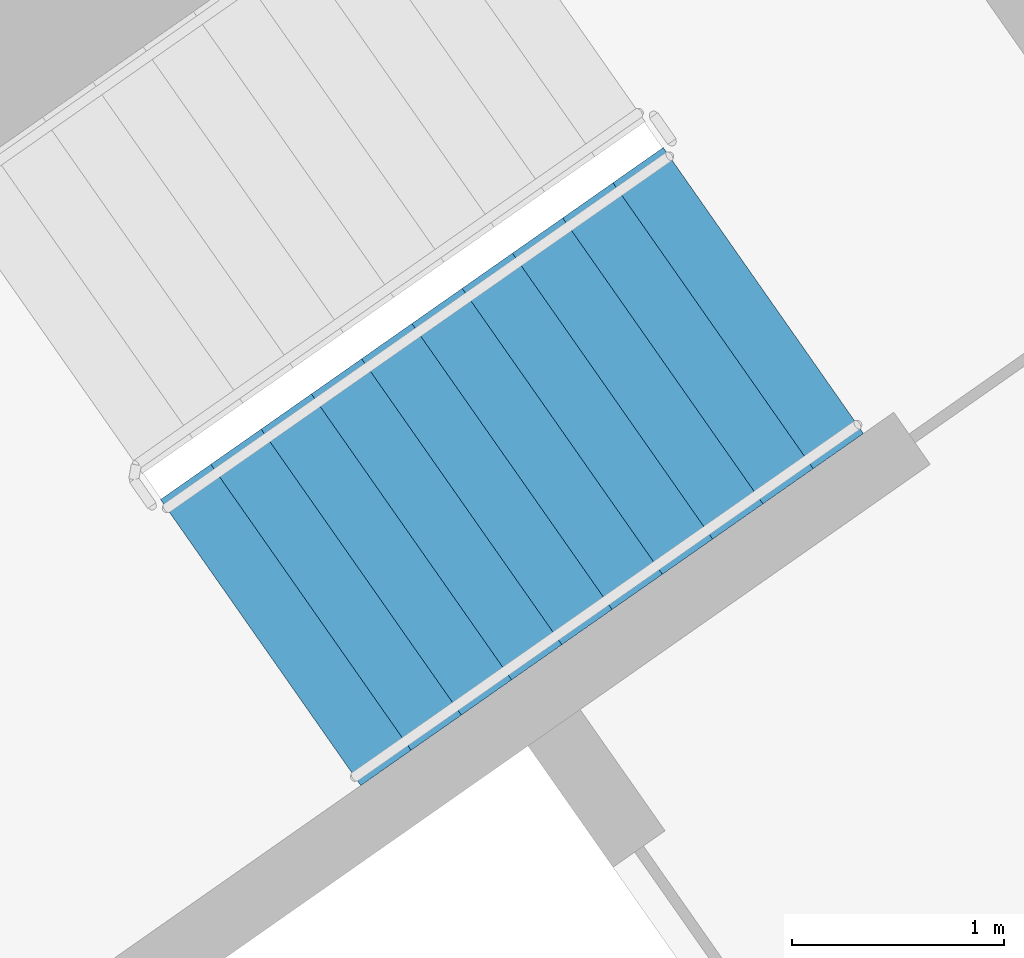
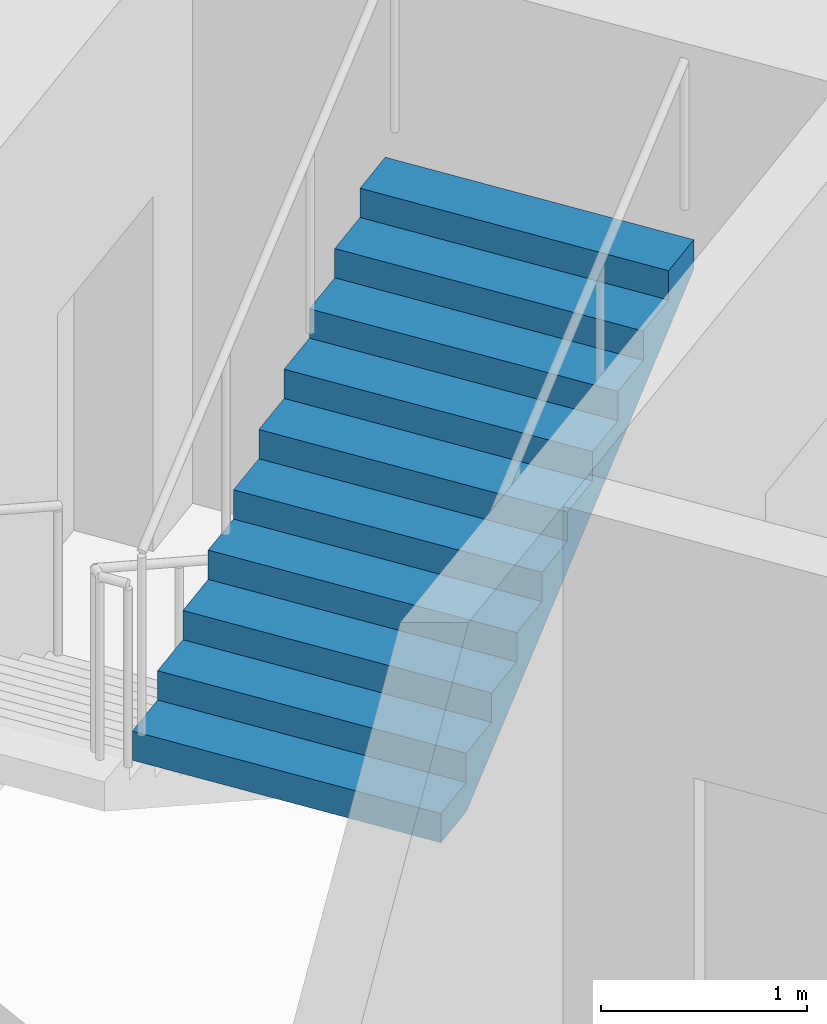
# One storey, part 15 of 32: 1 stair flight, 1 element without a shape of its own.
"""IFC4 building model written with IfcOpenShell, lengths in metres."""

from ifc_helpers import new_model, si_unit, direction, frame, origin, place, context, subcontext, project, spatial, faceted_brep, material, type_object, element, aggregate, save


model = new_model("IFC4")

# Units and contexts
model_context = context("Model", 3, precision=1e-05, world=origin(), true_north=direction((0.0, 1.0)))
body_context = subcontext(model_context, "Body", "Model", "MODEL_VIEW")
ifc_project = project(units=[si_unit("LENGTHUNIT", "METRE"), si_unit("AREAUNIT", "SQUARE_METRE"), si_unit("VOLUMEUNIT", "CUBIC_METRE"), si_unit("PLANEANGLEUNIT", "RADIAN"), si_unit("MASSUNIT", "GRAM", prefix="KILO")], contexts=[model_context])

# Site, building, storey
site_placement = place(None, origin())
site = spatial("IfcSite", under=ifc_project, at=site_placement, CompositionType="ELEMENT")
building_placement = place(site_placement, origin())
building = spatial("IfcBuilding", under=site, at=building_placement, Name="Qamariyya Broadcast Tower", CompositionType="ELEMENT")
storey_placement = place(building_placement, frame((0.0, 0.0, 63.300048828125)))
storey = spatial("IfcBuildingStorey", under=building, at=storey_placement, Name="L12", CompositionType="ELEMENT", Elevation=63.300048828125)

# Stair, stair flight
ifc_material = material(Name="Concrete C50/60", Category="concrete")
stair_type = type_object("IfcStairType", Name="Exit stair 22 risers of 173 mm", PredefinedType="HALF_TURN_STAIR", material=ifc_material)
stair_placement = place(storey_placement, origin())
stair = element("IfcStair", 1, at=stair_placement, inside=storey, type_object=stair_type, Name="L12 Stair E2", PredefinedType="HALF_TURN_STAIR")
stair_flight_type = type_object("IfcStairFlightType", Name="Exit stair flight 11 risers of 173 mm", PredefinedType="STRAIGHT", material=ifc_material)
stair_flight_placement = place(storey_placement, frame((39.215576171875, -50.822998046875, 1.89990234375), z_axis=(0.0, 0.0, 1.0), x_axis=(0.819152044289, 0.573576436351, 0.0)))
stair_flight = element("IfcStairFlight", 2, at=stair_flight_placement, type_object=stair_flight_type, Name="ST-E2 flight 2", NumberOfRisers=11, NumberOfTreads=10, PredefinedType="STRAIGHT", RiserHeight=0.172727273, TreadLength=0.29, context=body_context, shape_type="Brep", body=[
    faceted_brep([(0.0, 0.824951171875, 0.0), (0.0, 0.824951171875, 0.172607421875), (0.2900390625, 0.824951171875, 0.172607421875), (0.2900390625, 0.824951171875, 0.345458984375), (0.580078125, 0.824951171875, 0.345458984375), (0.580078125, 0.824951171875, 0.51806640625), (0.8701171875, 0.824951171875, 0.51806640625), (0.8701171875, 0.824951171875, 0.69091796875), (1.159912109375, 0.824951171875, 0.69091796875), (1.159912109375, 0.824951171875, 0.863525390625), (1.449951171875, 0.824951171875, 0.863525390625), (1.449951171875, 0.824951171875, 1.036376953125), (1.739990234375, 0.824951171875, 1.036376953125), (1.739990234375, 0.824951171875, 1.208984375), (2.030029296875, 0.824951171875, 1.208984375), (2.030029296875, 0.824951171875, 1.3818359375), (2.320068359375, 0.824951171875, 1.3818359375), (2.320068359375, 0.824951171875, 1.554443359375), (2.610107421875, 0.824951171875, 1.554443359375), (2.610107421875, 0.824951171875, 1.727294921875), (2.89990234375, 0.824951171875, 1.727294921875), (2.89990234375, 0.824951171875, 1.552734375), (0.29296875, 0.824951171875, 0.0), (0.29296875, -0.824951171875, 0.0), (2.89990234375, -0.824951171875, 1.552734375), (2.89990234375, -0.824951171875, 1.727294921875), (2.610107421875, -0.824951171875, 1.727294921875), (2.610107421875, -0.824951171875, 1.554443359375), (2.320068359375, -0.824951171875, 1.554443359375), (2.320068359375, -0.824951171875, 1.3818359375), (2.030029296875, -0.824951171875, 1.3818359375), (2.030029296875, -0.824951171875, 1.208984375), (1.739990234375, -0.824951171875, 1.208984375), (1.739990234375, -0.824951171875, 1.036376953125), (1.449951171875, -0.824951171875, 1.036376953125), (1.449951171875, -0.824951171875, 0.863525390625), (1.159912109375, -0.824951171875, 0.863525390625), (1.159912109375, -0.824951171875, 0.69091796875), (0.8701171875, -0.824951171875, 0.69091796875), (0.8701171875, -0.824951171875, 0.51806640625), (0.580078125, -0.824951171875, 0.51806640625), (0.580078125, -0.824951171875, 0.345458984375), (0.2900390625, -0.824951171875, 0.345458984375), (0.2900390625, -0.824951171875, 0.172607421875), (0.0, -0.824951171875, 0.172607421875), (0.0, -0.824951171875, 0.0), (0.0, 0.10009765625, 0.0), (0.0, 0.086669921875, 0.0), (0.0, 0.0732421875, 0.0), (0.0, 0.06005859375, 0.0), (0.0, 0.046630859375, 0.0), (0.0, 0.033447265625, 0.0), (0.0, 0.02001953125, 0.0), (0.0, 0.006591796875, 0.0), (0.0, -0.006591796875, 0.0), (0.0, -0.02001953125, 0.0), (0.0, -0.033447265625, 0.0), (0.0, -0.046630859375, 0.0), (0.0, -0.06005859375, 0.0), (0.0, -0.0732421875, 0.0), (0.0, -0.086669921875, 0.0), (0.0, -0.10009765625, 0.0), (0.0, -0.10009765625, 0.172607421875), (0.0, -0.086669921875, 0.172607421875), (0.0, -0.0732421875, 0.172607421875), (0.0, -0.06005859375, 0.172607421875), (0.0, -0.046630859375, 0.172607421875), (0.0, -0.033447265625, 0.172607421875), (0.0, -0.02001953125, 0.172607421875), (0.0, -0.006591796875, 0.172607421875), (0.0, 0.006591796875, 0.172607421875), (0.0, 0.02001953125, 0.172607421875), (0.0, 0.033447265625, 0.172607421875), (0.0, 0.046630859375, 0.172607421875), (0.0, 0.06005859375, 0.172607421875), (0.0, 0.0732421875, 0.172607421875), (0.0, 0.086669921875, 0.172607421875), (0.0, 0.10009765625, 0.172607421875), (0.2900390625, -0.10009765625, 0.172607421875), (0.2900390625, -0.086669921875, 0.172607421875), (0.2900390625, -0.0732421875, 0.172607421875), (0.2900390625, -0.06005859375, 0.172607421875), (0.2900390625, -0.046630859375, 0.172607421875), (0.2900390625, -0.033447265625, 0.172607421875), (0.2900390625, -0.02001953125, 0.172607421875), (0.2900390625, -0.006591796875, 0.172607421875), (0.2900390625, 0.006591796875, 0.172607421875), (0.2900390625, 0.02001953125, 0.172607421875), (0.2900390625, 0.033447265625, 0.172607421875), (0.2900390625, 0.046630859375, 0.172607421875), (0.2900390625, 0.06005859375, 0.172607421875), (0.2900390625, 0.0732421875, 0.172607421875), (0.2900390625, 0.086669921875, 0.172607421875), (0.2900390625, 0.10009765625, 0.172607421875), (0.2900390625, -0.10009765625, 0.345458984375), (0.2900390625, -0.086669921875, 0.345458984375), (0.2900390625, -0.0732421875, 0.345458984375), (0.2900390625, -0.06005859375, 0.345458984375), (0.2900390625, -0.046630859375, 0.345458984375), (0.2900390625, -0.033447265625, 0.345458984375), (0.2900390625, -0.02001953125, 0.345458984375), (0.2900390625, -0.006591796875, 0.345458984375), (0.2900390625, 0.006591796875, 0.345458984375), (0.2900390625, 0.02001953125, 0.345458984375), (0.2900390625, 0.033447265625, 0.345458984375), (0.2900390625, 0.046630859375, 0.345458984375), (0.2900390625, 0.06005859375, 0.345458984375), (0.2900390625, 0.0732421875, 0.345458984375), (0.2900390625, 0.086669921875, 0.345458984375), (0.2900390625, 0.10009765625, 0.345458984375), (0.580078125, -0.10009765625, 0.345458984375), (0.580078125, -0.086669921875, 0.345458984375), (0.580078125, -0.0732421875, 0.345458984375), (0.580078125, -0.06005859375, 0.345458984375), (0.580078125, -0.046630859375, 0.345458984375), (0.580078125, -0.033447265625, 0.345458984375), (0.580078125, -0.02001953125, 0.345458984375), (0.580078125, -0.006591796875, 0.345458984375), (0.580078125, 0.006591796875, 0.345458984375), (0.580078125, 0.02001953125, 0.345458984375), (0.580078125, 0.033447265625, 0.345458984375), (0.580078125, 0.046630859375, 0.345458984375), (0.580078125, 0.06005859375, 0.345458984375), (0.580078125, 0.0732421875, 0.345458984375), (0.580078125, 0.086669921875, 0.345458984375), (0.580078125, 0.10009765625, 0.345458984375), (0.580078125, -0.10009765625, 0.51806640625), (0.580078125, -0.086669921875, 0.51806640625), (0.580078125, -0.0732421875, 0.51806640625), (0.580078125, -0.06005859375, 0.51806640625), (0.580078125, -0.046630859375, 0.51806640625), (0.580078125, -0.033447265625, 0.51806640625), (0.580078125, -0.02001953125, 0.51806640625), (0.580078125, -0.006591796875, 0.51806640625), (0.580078125, 0.006591796875, 0.51806640625), (0.580078125, 0.02001953125, 0.51806640625), (0.580078125, 0.033447265625, 0.51806640625), (0.580078125, 0.046630859375, 0.51806640625), (0.580078125, 0.06005859375, 0.51806640625), (0.580078125, 0.0732421875, 0.51806640625), (0.580078125, 0.086669921875, 0.51806640625), (0.580078125, 0.10009765625, 0.51806640625), (0.8701171875, -0.10009765625, 0.51806640625), (0.8701171875, -0.086669921875, 0.51806640625), (0.8701171875, -0.0732421875, 0.51806640625), (0.8701171875, -0.06005859375, 0.51806640625), (0.8701171875, -0.046630859375, 0.51806640625), (0.8701171875, -0.033447265625, 0.51806640625), (0.8701171875, -0.02001953125, 0.51806640625), (0.8701171875, -0.006591796875, 0.51806640625), (0.8701171875, 0.006591796875, 0.51806640625), (0.8701171875, 0.02001953125, 0.51806640625), (0.8701171875, 0.033447265625, 0.51806640625), (0.8701171875, 0.046630859375, 0.51806640625), (0.8701171875, 0.06005859375, 0.51806640625), (0.8701171875, 0.0732421875, 0.51806640625), (0.8701171875, 0.086669921875, 0.51806640625), (0.8701171875, 0.10009765625, 0.51806640625), (0.8701171875, -0.10009765625, 0.69091796875), (0.8701171875, -0.086669921875, 0.69091796875), (0.8701171875, -0.0732421875, 0.69091796875), (0.8701171875, -0.06005859375, 0.69091796875), (0.8701171875, -0.046630859375, 0.69091796875), (0.8701171875, -0.033447265625, 0.69091796875), (0.8701171875, -0.02001953125, 0.69091796875), (0.8701171875, -0.006591796875, 0.69091796875), (0.8701171875, 0.006591796875, 0.69091796875), (0.8701171875, 0.02001953125, 0.69091796875), (0.8701171875, 0.033447265625, 0.69091796875), (0.8701171875, 0.046630859375, 0.69091796875), (0.8701171875, 0.06005859375, 0.69091796875), (0.8701171875, 0.0732421875, 0.69091796875), (0.8701171875, 0.086669921875, 0.69091796875), (0.8701171875, 0.10009765625, 0.69091796875), (1.159912109375, -0.10009765625, 0.69091796875), (1.159912109375, -0.086669921875, 0.69091796875), (1.159912109375, -0.0732421875, 0.69091796875), (1.159912109375, -0.06005859375, 0.69091796875), (1.159912109375, -0.046630859375, 0.69091796875), (1.159912109375, -0.033447265625, 0.69091796875), (1.159912109375, -0.02001953125, 0.69091796875), (1.159912109375, -0.006591796875, 0.69091796875), (1.159912109375, 0.006591796875, 0.69091796875), (1.159912109375, 0.02001953125, 0.69091796875), (1.159912109375, 0.033447265625, 0.69091796875), (1.159912109375, 0.046630859375, 0.69091796875), (1.159912109375, 0.06005859375, 0.69091796875), (1.159912109375, 0.0732421875, 0.69091796875), (1.159912109375, 0.086669921875, 0.69091796875), (1.159912109375, 0.10009765625, 0.69091796875), (1.159912109375, -0.10009765625, 0.863525390625), (1.159912109375, -0.086669921875, 0.863525390625), (1.159912109375, -0.0732421875, 0.863525390625), (1.159912109375, -0.06005859375, 0.863525390625), (1.159912109375, -0.046630859375, 0.863525390625), (1.159912109375, -0.033447265625, 0.863525390625), (1.159912109375, -0.02001953125, 0.863525390625), (1.159912109375, -0.006591796875, 0.863525390625), (1.159912109375, 0.006591796875, 0.863525390625), (1.159912109375, 0.02001953125, 0.863525390625), (1.159912109375, 0.033447265625, 0.863525390625), (1.159912109375, 0.046630859375, 0.863525390625), (1.159912109375, 0.06005859375, 0.863525390625), (1.159912109375, 0.0732421875, 0.863525390625), (1.159912109375, 0.086669921875, 0.863525390625), (1.159912109375, 0.10009765625, 0.863525390625), (1.449951171875, -0.10009765625, 0.863525390625), (1.449951171875, -0.086669921875, 0.863525390625), (1.449951171875, -0.0732421875, 0.863525390625), (1.449951171875, -0.06005859375, 0.863525390625), (1.449951171875, -0.046630859375, 0.863525390625), (1.449951171875, -0.033447265625, 0.863525390625), (1.449951171875, -0.02001953125, 0.863525390625), (1.449951171875, -0.006591796875, 0.863525390625), (1.449951171875, 0.006591796875, 0.863525390625), (1.449951171875, 0.02001953125, 0.863525390625), (1.449951171875, 0.033447265625, 0.863525390625), (1.449951171875, 0.046630859375, 0.863525390625), (1.449951171875, 0.06005859375, 0.863525390625), (1.449951171875, 0.0732421875, 0.863525390625), (1.449951171875, 0.086669921875, 0.863525390625), (1.449951171875, 0.10009765625, 0.863525390625), (1.449951171875, -0.10009765625, 1.036376953125), (1.449951171875, -0.086669921875, 1.036376953125), (1.449951171875, -0.0732421875, 1.036376953125), (1.449951171875, -0.06005859375, 1.036376953125), (1.449951171875, -0.046630859375, 1.036376953125), (1.449951171875, -0.033447265625, 1.036376953125), (1.449951171875, -0.02001953125, 1.036376953125), (1.449951171875, -0.006591796875, 1.036376953125), (1.449951171875, 0.006591796875, 1.036376953125), (1.449951171875, 0.02001953125, 1.036376953125), (1.449951171875, 0.033447265625, 1.036376953125), (1.449951171875, 0.046630859375, 1.036376953125), (1.449951171875, 0.06005859375, 1.036376953125), (1.449951171875, 0.0732421875, 1.036376953125), (1.449951171875, 0.086669921875, 1.036376953125), (1.449951171875, 0.10009765625, 1.036376953125), (1.739990234375, -0.10009765625, 1.036376953125), (1.739990234375, -0.086669921875, 1.036376953125), (1.739990234375, -0.0732421875, 1.036376953125), (1.739990234375, -0.06005859375, 1.036376953125), (1.739990234375, -0.046630859375, 1.036376953125), (1.739990234375, -0.033447265625, 1.036376953125), (1.739990234375, -0.02001953125, 1.036376953125), (1.739990234375, -0.006591796875, 1.036376953125), (1.739990234375, 0.006591796875, 1.036376953125), (1.739990234375, 0.02001953125, 1.036376953125), (1.739990234375, 0.033447265625, 1.036376953125), (1.739990234375, 0.046630859375, 1.036376953125), (1.739990234375, 0.06005859375, 1.036376953125), (1.739990234375, 0.0732421875, 1.036376953125), (1.739990234375, 0.086669921875, 1.036376953125), (1.739990234375, 0.10009765625, 1.036376953125), (1.739990234375, -0.10009765625, 1.208984375), (1.739990234375, -0.086669921875, 1.208984375), (1.739990234375, -0.0732421875, 1.208984375), (1.739990234375, -0.06005859375, 1.208984375), (1.739990234375, -0.046630859375, 1.208984375), (1.739990234375, -0.033447265625, 1.208984375), (1.739990234375, -0.02001953125, 1.208984375), (1.739990234375, -0.006591796875, 1.208984375), (1.739990234375, 0.006591796875, 1.208984375), (1.739990234375, 0.02001953125, 1.208984375), (1.739990234375, 0.033447265625, 1.208984375), (1.739990234375, 0.046630859375, 1.208984375), (1.739990234375, 0.06005859375, 1.208984375), (1.739990234375, 0.0732421875, 1.208984375), (1.739990234375, 0.086669921875, 1.208984375), (1.739990234375, 0.10009765625, 1.208984375), (2.030029296875, -0.10009765625, 1.208984375), (2.030029296875, -0.086669921875, 1.208984375), (2.030029296875, -0.0732421875, 1.208984375), (2.030029296875, -0.06005859375, 1.208984375), (2.030029296875, -0.046630859375, 1.208984375), (2.030029296875, -0.033447265625, 1.208984375), (2.030029296875, -0.02001953125, 1.208984375), (2.030029296875, -0.006591796875, 1.208984375), (2.030029296875, 0.006591796875, 1.208984375), (2.030029296875, 0.02001953125, 1.208984375), (2.030029296875, 0.033447265625, 1.208984375), (2.030029296875, 0.046630859375, 1.208984375), (2.030029296875, 0.06005859375, 1.208984375), (2.030029296875, 0.0732421875, 1.208984375), (2.030029296875, 0.086669921875, 1.208984375), (2.030029296875, 0.10009765625, 1.208984375), (2.030029296875, -0.10009765625, 1.3818359375), (2.030029296875, -0.086669921875, 1.3818359375), (2.030029296875, -0.0732421875, 1.3818359375), (2.030029296875, -0.06005859375, 1.3818359375), (2.030029296875, -0.046630859375, 1.3818359375), (2.030029296875, -0.033447265625, 1.3818359375), (2.030029296875, -0.02001953125, 1.3818359375), (2.030029296875, -0.006591796875, 1.3818359375), (2.030029296875, 0.006591796875, 1.3818359375), (2.030029296875, 0.02001953125, 1.3818359375), (2.030029296875, 0.033447265625, 1.3818359375), (2.030029296875, 0.046630859375, 1.3818359375), (2.030029296875, 0.06005859375, 1.3818359375), (2.030029296875, 0.0732421875, 1.3818359375), (2.030029296875, 0.086669921875, 1.3818359375), (2.030029296875, 0.10009765625, 1.3818359375), (2.320068359375, -0.10009765625, 1.3818359375), (2.320068359375, -0.086669921875, 1.3818359375), (2.320068359375, -0.0732421875, 1.3818359375), (2.320068359375, -0.06005859375, 1.3818359375), (2.320068359375, -0.046630859375, 1.3818359375), (2.320068359375, -0.033447265625, 1.3818359375), (2.320068359375, -0.02001953125, 1.3818359375), (2.320068359375, -0.006591796875, 1.3818359375), (2.320068359375, 0.006591796875, 1.3818359375), (2.320068359375, 0.02001953125, 1.3818359375), (2.320068359375, 0.033447265625, 1.3818359375), (2.320068359375, 0.046630859375, 1.3818359375), (2.320068359375, 0.06005859375, 1.3818359375), (2.320068359375, 0.0732421875, 1.3818359375), (2.320068359375, 0.086669921875, 1.3818359375), (2.320068359375, 0.10009765625, 1.3818359375), (2.320068359375, -0.10009765625, 1.554443359375), (2.320068359375, -0.086669921875, 1.554443359375), (2.320068359375, -0.0732421875, 1.554443359375), (2.320068359375, -0.06005859375, 1.554443359375), (2.320068359375, -0.046630859375, 1.554443359375), (2.320068359375, -0.033447265625, 1.554443359375), (2.320068359375, -0.02001953125, 1.554443359375), (2.320068359375, -0.006591796875, 1.554443359375), (2.320068359375, 0.006591796875, 1.554443359375), (2.320068359375, 0.02001953125, 1.554443359375), (2.320068359375, 0.033447265625, 1.554443359375), (2.320068359375, 0.046630859375, 1.554443359375), (2.320068359375, 0.06005859375, 1.554443359375), (2.320068359375, 0.0732421875, 1.554443359375), (2.320068359375, 0.086669921875, 1.554443359375), (2.320068359375, 0.10009765625, 1.554443359375), (2.610107421875, -0.10009765625, 1.554443359375), (2.610107421875, -0.086669921875, 1.554443359375), (2.610107421875, -0.0732421875, 1.554443359375), (2.610107421875, -0.06005859375, 1.554443359375), (2.610107421875, -0.046630859375, 1.554443359375), (2.610107421875, -0.033447265625, 1.554443359375), (2.610107421875, -0.02001953125, 1.554443359375), (2.610107421875, -0.006591796875, 1.554443359375), (2.610107421875, 0.006591796875, 1.554443359375), (2.610107421875, 0.02001953125, 1.554443359375), (2.610107421875, 0.033447265625, 1.554443359375), (2.610107421875, 0.046630859375, 1.554443359375), (2.610107421875, 0.06005859375, 1.554443359375), (2.610107421875, 0.0732421875, 1.554443359375), (2.610107421875, 0.086669921875, 1.554443359375), (2.610107421875, 0.10009765625, 1.554443359375), (2.610107421875, -0.10009765625, 1.727294921875), (2.610107421875, -0.086669921875, 1.727294921875), (2.610107421875, -0.0732421875, 1.727294921875), (2.610107421875, -0.06005859375, 1.727294921875), (2.610107421875, -0.046630859375, 1.727294921875), (2.610107421875, -0.033447265625, 1.727294921875), (2.610107421875, -0.02001953125, 1.727294921875), (2.610107421875, -0.006591796875, 1.727294921875), (2.610107421875, 0.006591796875, 1.727294921875), (2.610107421875, 0.02001953125, 1.727294921875), (2.610107421875, 0.033447265625, 1.727294921875), (2.610107421875, 0.046630859375, 1.727294921875), (2.610107421875, 0.06005859375, 1.727294921875), (2.610107421875, 0.0732421875, 1.727294921875), (2.610107421875, 0.086669921875, 1.727294921875), (2.610107421875, 0.10009765625, 1.727294921875), (2.89990234375, -0.10009765625, 1.727294921875), (2.89990234375, -0.086669921875, 1.727294921875), (2.89990234375, -0.0732421875, 1.727294921875), (2.89990234375, -0.06005859375, 1.727294921875), (2.89990234375, -0.046630859375, 1.727294921875), (2.89990234375, -0.033447265625, 1.727294921875), (2.89990234375, -0.02001953125, 1.727294921875), (2.89990234375, -0.006591796875, 1.727294921875), (2.89990234375, 0.006591796875, 1.727294921875), (2.89990234375, 0.02001953125, 1.727294921875), (2.89990234375, 0.033447265625, 1.727294921875), (2.89990234375, 0.046630859375, 1.727294921875), (2.89990234375, 0.06005859375, 1.727294921875), (2.89990234375, 0.0732421875, 1.727294921875), (2.89990234375, 0.086669921875, 1.727294921875), (2.89990234375, 0.10009765625, 1.727294921875), (2.89990234375, -0.10009765625, 1.552734375), (2.89990234375, -0.086669921875, 1.552734375), (2.89990234375, -0.0732421875, 1.552734375), (2.89990234375, -0.06005859375, 1.552734375), (2.89990234375, -0.046630859375, 1.552734375), (2.89990234375, -0.033447265625, 1.552734375), (2.89990234375, -0.02001953125, 1.552734375), (2.89990234375, -0.006591796875, 1.552734375), (2.89990234375, 0.006591796875, 1.552734375), (2.89990234375, 0.02001953125, 1.552734375), (2.89990234375, 0.033447265625, 1.552734375), (2.89990234375, 0.046630859375, 1.552734375), (2.89990234375, 0.06005859375, 1.552734375), (2.89990234375, 0.0732421875, 1.552734375), (2.89990234375, 0.086669921875, 1.552734375), (2.89990234375, 0.10009765625, 1.552734375), (0.29296875, -0.10009765625, 0.0), (0.29296875, -0.086669921875, 0.0), (0.29296875, -0.0732421875, 0.0), (0.29296875, -0.06005859375, 0.0), (0.29296875, -0.046630859375, 0.0), (0.29296875, -0.033447265625, 0.0), (0.29296875, -0.02001953125, 0.0), (0.29296875, -0.006591796875, 0.0), (0.29296875, 0.006591796875, 0.0), (0.29296875, 0.02001953125, 0.0), (0.29296875, 0.033447265625, 0.0), (0.29296875, 0.046630859375, 0.0), (0.29296875, 0.06005859375, 0.0), (0.29296875, 0.0732421875, 0.0), (0.29296875, 0.086669921875, 0.0), (0.29296875, 0.10009765625, 0.0)], [[[0, 1, 2, 3, 4, 5, 6, 7, 8, 9, 10, 11, 12, 13, 14, 15, 16, 17, 18, 19, 20, 21, 22]], [[23, 24, 25, 26, 27, 28, 29, 30, 31, 32, 33, 34, 35, 36, 37, 38, 39, 40, 41, 42, 43, 44, 45]], [[0, 46, 47, 48, 49, 50, 51, 52, 53, 54, 55, 56, 57, 58, 59, 60, 61, 45, 44, 62, 63, 64, 65, 66, 67, 68, 69, 70, 71, 72, 73, 74, 75, 76, 77, 1]], [[1, 77, 76, 75, 74, 73, 72, 71, 70, 69, 68, 67, 66, 65, 64, 63, 62, 44, 43, 78, 79, 80, 81, 82, 83, 84, 85, 86, 87, 88, 89, 90, 91, 92, 93, 2]], [[2, 93, 92, 91, 90, 89, 88, 87, 86, 85, 84, 83, 82, 81, 80, 79, 78, 43, 42, 94, 95, 96, 97, 98, 99, 100, 101, 102, 103, 104, 105, 106, 107, 108, 109, 3]], [[3, 109, 108, 107, 106, 105, 104, 103, 102, 101, 100, 99, 98, 97, 96, 95, 94, 42, 41, 110, 111, 112, 113, 114, 115, 116, 117, 118, 119, 120, 121, 122, 123, 124, 125, 4]], [[4, 125, 124, 123, 122, 121, 120, 119, 118, 117, 116, 115, 114, 113, 112, 111, 110, 41, 40, 126, 127, 128, 129, 130, 131, 132, 133, 134, 135, 136, 137, 138, 139, 140, 141, 5]], [[5, 141, 140, 139, 138, 137, 136, 135, 134, 133, 132, 131, 130, 129, 128, 127, 126, 40, 39, 142, 143, 144, 145, 146, 147, 148, 149, 150, 151, 152, 153, 154, 155, 156, 157, 6]], [[6, 157, 156, 155, 154, 153, 152, 151, 150, 149, 148, 147, 146, 145, 144, 143, 142, 39, 38, 158, 159, 160, 161, 162, 163, 164, 165, 166, 167, 168, 169, 170, 171, 172, 173, 7]], [[7, 173, 172, 171, 170, 169, 168, 167, 166, 165, 164, 163, 162, 161, 160, 159, 158, 38, 37, 174, 175, 176, 177, 178, 179, 180, 181, 182, 183, 184, 185, 186, 187, 188, 189, 8]], [[8, 189, 188, 187, 186, 185, 184, 183, 182, 181, 180, 179, 178, 177, 176, 175, 174, 37, 36, 190, 191, 192, 193, 194, 195, 196, 197, 198, 199, 200, 201, 202, 203, 204, 205, 9]], [[9, 205, 204, 203, 202, 201, 200, 199, 198, 197, 196, 195, 194, 193, 192, 191, 190, 36, 35, 206, 207, 208, 209, 210, 211, 212, 213, 214, 215, 216, 217, 218, 219, 220, 221, 10]], [[10, 221, 220, 219, 218, 217, 216, 215, 214, 213, 212, 211, 210, 209, 208, 207, 206, 35, 34, 222, 223, 224, 225, 226, 227, 228, 229, 230, 231, 232, 233, 234, 235, 236, 237, 11]], [[11, 237, 236, 235, 234, 233, 232, 231, 230, 229, 228, 227, 226, 225, 224, 223, 222, 34, 33, 238, 239, 240, 241, 242, 243, 244, 245, 246, 247, 248, 249, 250, 251, 252, 253, 12]], [[12, 253, 252, 251, 250, 249, 248, 247, 246, 245, 244, 243, 242, 241, 240, 239, 238, 33, 32, 254, 255, 256, 257, 258, 259, 260, 261, 262, 263, 264, 265, 266, 267, 268, 269, 13]], [[13, 269, 268, 267, 266, 265, 264, 263, 262, 261, 260, 259, 258, 257, 256, 255, 254, 32, 31, 270, 271, 272, 273, 274, 275, 276, 277, 278, 279, 280, 281, 282, 283, 284, 285, 14]], [[14, 285, 284, 283, 282, 281, 280, 279, 278, 277, 276, 275, 274, 273, 272, 271, 270, 31, 30, 286, 287, 288, 289, 290, 291, 292, 293, 294, 295, 296, 297, 298, 299, 300, 301, 15]], [[15, 301, 300, 299, 298, 297, 296, 295, 294, 293, 292, 291, 290, 289, 288, 287, 286, 30, 29, 302, 303, 304, 305, 306, 307, 308, 309, 310, 311, 312, 313, 314, 315, 316, 317, 16]], [[16, 317, 316, 315, 314, 313, 312, 311, 310, 309, 308, 307, 306, 305, 304, 303, 302, 29, 28, 318, 319, 320, 321, 322, 323, 324, 325, 326, 327, 328, 329, 330, 331, 332, 333, 17]], [[17, 333, 332, 331, 330, 329, 328, 327, 326, 325, 324, 323, 322, 321, 320, 319, 318, 28, 27, 334, 335, 336, 337, 338, 339, 340, 341, 342, 343, 344, 345, 346, 347, 348, 349, 18]], [[18, 349, 348, 347, 346, 345, 344, 343, 342, 341, 340, 339, 338, 337, 336, 335, 334, 27, 26, 350, 351, 352, 353, 354, 355, 356, 357, 358, 359, 360, 361, 362, 363, 364, 365, 19]], [[19, 365, 364, 363, 362, 361, 360, 359, 358, 357, 356, 355, 354, 353, 352, 351, 350, 26, 25, 366, 367, 368, 369, 370, 371, 372, 373, 374, 375, 376, 377, 378, 379, 380, 381, 20]], [[20, 381, 380, 379, 378, 377, 376, 375, 374, 373, 372, 371, 370, 369, 368, 367, 366, 25, 24, 382, 383, 384, 385, 386, 387, 388, 389, 390, 391, 392, 393, 394, 395, 396, 397, 21]], [[21, 397, 396, 395, 394, 393, 392, 391, 390, 389, 388, 387, 386, 385, 384, 383, 382, 24, 23, 398, 399, 400, 401, 402, 403, 404, 405, 406, 407, 408, 409, 410, 411, 412, 413, 22]], [[22, 413, 412, 411, 410, 409, 408, 407, 406, 405, 404, 403, 402, 401, 400, 399, 398, 23, 45, 61, 60, 59, 58, 57, 56, 55, 54, 53, 52, 51, 50, 49, 48, 47, 46, 0]]]),
])
aggregate(stair, [stair_flight])

save(model, "model.ifc")
